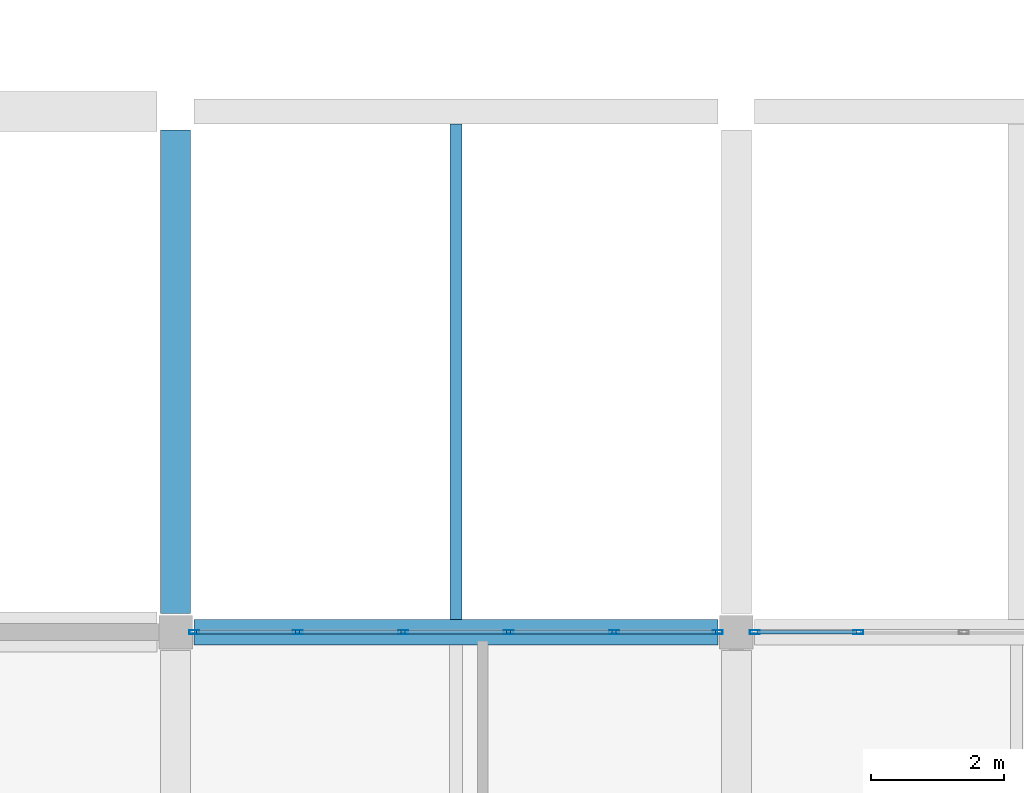
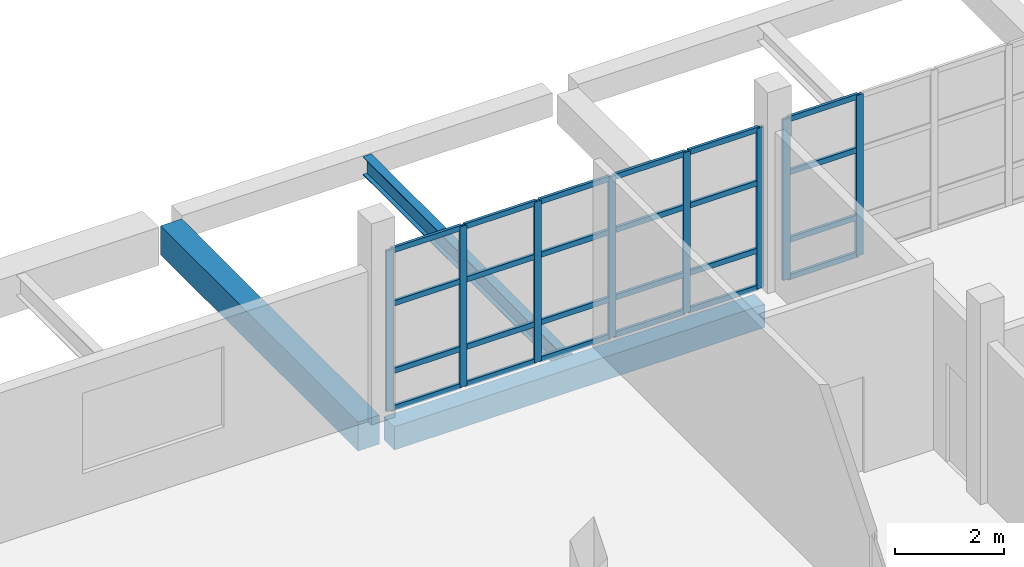
# One storey, part 31 of 53: 32 members, 3 beams, 2 elements without a shape of their own.
"""IFC4 building model written with IfcOpenShell, lengths in metres."""

from ifc_helpers import new_model, si_unit, direction, frame, origin, origin_2d, place, context, subcontext, project, spatial, rectangle, hollow_rectangle, i_section, extrude, material, material_profile, profile_set, type_object, element, aggregate, save


model = new_model("IFC4")

# Units and contexts
model_context = context("Model", 3, precision=1e-05, world=origin(), true_north=direction((0.0, 1.0)))
body_context = subcontext(model_context, "Body", "Model", "MODEL_VIEW")
ifc_project = project(units=[si_unit("LENGTHUNIT", "METRE"), si_unit("AREAUNIT", "SQUARE_METRE"), si_unit("VOLUMEUNIT", "CUBIC_METRE"), si_unit("PLANEANGLEUNIT", "RADIAN"), si_unit("MASSUNIT", "GRAM", prefix="KILO")], contexts=[model_context])

# Site, building, storey
site_placement = place(None, origin())
site = spatial("IfcSite", under=ifc_project, at=site_placement, CompositionType="ELEMENT")
building_placement = place(site_placement, origin())
building = spatial("IfcBuilding", under=site, at=building_placement, Name="Pellamere Symphony Hall", CompositionType="ELEMENT")
storey_placement = place(building_placement, frame((0.0, 0.0, 24.0)))
storey = spatial("IfcBuildingStorey", under=building, at=storey_placement, Name="L05", CompositionType="ELEMENT", Elevation=24.0)

# Curtain wall, members
ifc_material_1 = material(Name="Thermally Broken Anodised Aluminium 6063-T6 Curtain Wall", Category="aluminium")
curtain_wall_type = type_object("IfcCurtainWallType", Name="Curtain Wall CW-05 (Artists Wing North Studio Ribbon Curtain Wall)", PredefinedType="NOTDEFINED", material=ifc_material_1)
curtain_wall_1_placement = place(storey_placement, origin())
curtain_wall_1 = element("IfcCurtainWall", 1, at=curtain_wall_1_placement, inside=storey, type_object=curtain_wall_type, Name="Artists Wing North Studio Curtain Wall (L05 Bay 1)", PredefinedType="NOTDEFINED")
ifc_material_2 = material(Name="Anodised Architectural Aluminium 6063-T6", Category="aluminium")
ifc_material_profile_1 = material_profile(ifc_material_2, hollow_rectangle(XDim=0.06005859375, YDim=0.14990234375, WallThickness=0.00390625, at=origin_2d()), Name="ALU-M60X150X4")
ifc_profile_set_1 = profile_set([ifc_material_profile_1], Name="Anodised Architectural Aluminium 6063-T6")
member_type_1 = type_object("IfcMemberType", Name="Curtain Wall Mullion ML-03 ALU-M60X150X4", PredefinedType="MULLION", material=ifc_profile_set_1)
member_1_placement = place(storey_placement, frame((147.8798828125, 77.39990234375, 0.0), z_axis=(0.0, 0.0, 1.0), x_axis=(0.0, 1.0, 0.0)))
member_1 = element("IfcMember", 2, at=member_1_placement, type_object=member_type_1, Name="CW5-148 crystal mullion 1", PredefinedType="MULLION", context=body_context, shape_type="SweptSolid", body=[
    extrude(hollow_rectangle(XDim=0.06005859375, YDim=0.14990234375, WallThickness=0.00390625, at=origin_2d()), origin(), (0.0, 0.0, 1.0), 3.60009765625),
])
member_2_placement = place(storey_placement, frame((149.429931640625, 77.39990234375, 0.0), z_axis=(0.0, 0.0, 1.0), x_axis=(0.0, 1.0, 0.0)))
member_2 = element("IfcMember", 3, at=member_2_placement, type_object=member_type_1, Name="CW5-148 crystal mullion 2", PredefinedType="MULLION", context=body_context, shape_type="SweptSolid", body=[
    extrude(hollow_rectangle(XDim=0.06005859375, YDim=0.14990234375, WallThickness=0.00390625, at=origin_2d()), origin(), (0.0, 0.0, 1.0), 3.60009765625),
])
member_3_placement = place(storey_placement, frame((151.010009765625, 77.39990234375, 0.0), z_axis=(0.0, 0.0, 1.0), x_axis=(0.0, 1.0, 0.0)))
member_3 = element("IfcMember", 4, at=member_3_placement, type_object=member_type_1, Name="CW5-148 crystal mullion 3", PredefinedType="MULLION", context=body_context, shape_type="SweptSolid", body=[
    extrude(hollow_rectangle(XDim=0.06005859375, YDim=0.14990234375, WallThickness=0.00390625, at=origin_2d()), origin(), (0.0, 0.0, 1.0), 3.60009765625),
])
member_4_placement = place(storey_placement, frame((152.590087890625, 77.39990234375, 0.0), z_axis=(0.0, 0.0, 1.0), x_axis=(0.0, 1.0, 0.0)))
member_4 = element("IfcMember", 5, at=member_4_placement, type_object=member_type_1, Name="CW5-148 crystal mullion 4", PredefinedType="MULLION", context=body_context, shape_type="SweptSolid", body=[
    extrude(hollow_rectangle(XDim=0.06005859375, YDim=0.14990234375, WallThickness=0.00390625, at=origin_2d()), origin(), (0.0, 0.0, 1.0), 3.60009765625),
])
member_5_placement = place(storey_placement, frame((154.169921875, 77.39990234375, 0.0), z_axis=(0.0, 0.0, 1.0), x_axis=(0.0, 1.0, 0.0)))
member_5 = element("IfcMember", 6, at=member_5_placement, type_object=member_type_1, Name="CW5-148 crystal mullion 5", PredefinedType="MULLION", context=body_context, shape_type="SweptSolid", body=[
    extrude(hollow_rectangle(XDim=0.06005859375, YDim=0.14990234375, WallThickness=0.00390625, at=origin_2d()), origin(), (0.0, 0.0, 1.0), 3.60009765625),
])
member_6_placement = place(storey_placement, frame((155.719970703125, 77.39990234375, 0.0), z_axis=(0.0, 0.0, 1.0), x_axis=(0.0, 1.0, 0.0)))
member_6 = element("IfcMember", 7, at=member_6_placement, type_object=member_type_1, Name="CW5-148 crystal mullion 6", PredefinedType="MULLION", context=body_context, shape_type="SweptSolid", body=[
    extrude(hollow_rectangle(XDim=0.06005859375, YDim=0.14990234375, WallThickness=0.00390625, at=origin_2d()), origin(), (0.0, 0.0, 1.0), 3.60009765625),
])

curtain_wall_2_placement = place(storey_placement, origin())
curtain_wall_2 = element("IfcCurtainWall", 8, at=curtain_wall_2_placement, inside=storey, type_object=curtain_wall_type, Name="Artists Wing North Studio Curtain Wall (L05 Bay 2)", PredefinedType="NOTDEFINED")
member_7_placement = place(storey_placement, frame((156.280029296875, 77.39990234375, 0.0), z_axis=(0.0, 0.0, 1.0), x_axis=(0.0, 1.0, 0.0)))
member_7 = element("IfcMember", 9, at=member_7_placement, type_object=member_type_1, Name="CW5-149 crystal mullion 1", PredefinedType="MULLION", context=body_context, shape_type="SweptSolid", body=[
    extrude(hollow_rectangle(XDim=0.06005859375, YDim=0.14990234375, WallThickness=0.00390625, at=origin_2d()), origin(), (0.0, 0.0, 1.0), 3.60009765625),
])
member_8_placement = place(storey_placement, frame((157.830078125, 77.39990234375, 0.0), z_axis=(0.0, 0.0, 1.0), x_axis=(0.0, 1.0, 0.0)))
member_8 = element("IfcMember", 10, at=member_8_placement, type_object=member_type_1, Name="CW5-149 crystal mullion 2", PredefinedType="MULLION", context=body_context, shape_type="SweptSolid", body=[
    extrude(hollow_rectangle(XDim=0.06005859375, YDim=0.14990234375, WallThickness=0.00390625, at=origin_2d()), origin(), (0.0, 0.0, 1.0), 3.60009765625),
])

# Member
ifc_material_profile_2 = material_profile(ifc_material_2, hollow_rectangle(XDim=0.06005859375, YDim=0.1201171875, WallThickness=0.00390625, at=origin_2d()), Name="ALU-T60X120X4")
ifc_profile_set_2 = profile_set([ifc_material_profile_2], Name="Anodised Architectural Aluminium 6063-T6")
member_type_2 = type_object("IfcMemberType", Name="Curtain Wall Transom TR-03 ALU-T60X120X4", PredefinedType="USERDEFINED", material=ifc_profile_set_2)
member_9_placement = place(storey_placement, frame((147.909912109375, 77.39990234375, 0.030029296875), z_axis=(1.0, 0.0, 0.0), x_axis=(0.0, 1.0, 0.0)))
member_9 = element("IfcMember", 11, at=member_9_placement, type_object=member_type_2, Name="CW5-148 crystal transom 1.1", ObjectType="TRANSOM", PredefinedType="USERDEFINED", context=body_context, shape_type="SweptSolid", body=[
    extrude(hollow_rectangle(XDim=0.06005859375, YDim=0.1201171875, WallThickness=0.00390625, at=origin_2d()), origin(), (0.0, 0.0, 1.0), 1.489990234375),
])

member_10_placement = place(storey_placement, frame((147.909912109375, 77.39990234375, 0.864013671875), z_axis=(1.0, 0.0, 0.0), x_axis=(0.0, 1.0, 0.0)))
member_10 = element("IfcMember", 12, at=member_10_placement, type_object=member_type_2, Name="CW5-148 crystal transom 1.2", ObjectType="TRANSOM", PredefinedType="USERDEFINED", context=body_context, shape_type="SweptSolid", body=[
    extrude(hollow_rectangle(XDim=0.06005859375, YDim=0.1201171875, WallThickness=0.00390625, at=origin_2d()), origin(), (0.0, 0.0, 1.0), 1.489990234375),
])

member_11_placement = place(storey_placement, frame((147.909912109375, 77.39990234375, 2.3759765625), z_axis=(1.0, 0.0, 0.0), x_axis=(0.0, 1.0, 0.0)))
member_11 = element("IfcMember", 13, at=member_11_placement, type_object=member_type_2, Name="CW5-148 crystal transom 1.3", ObjectType="TRANSOM", PredefinedType="USERDEFINED", context=body_context, shape_type="SweptSolid", body=[
    extrude(hollow_rectangle(XDim=0.06005859375, YDim=0.1201171875, WallThickness=0.00390625, at=origin_2d()), origin(), (0.0, 0.0, 1.0), 1.489990234375),
])

member_12_placement = place(storey_placement, frame((147.909912109375, 77.39990234375, 3.570068359375), z_axis=(1.0, 0.0, 0.0), x_axis=(0.0, 1.0, 0.0)))
member_12 = element("IfcMember", 14, at=member_12_placement, type_object=member_type_2, Name="CW5-148 crystal transom 1.4", ObjectType="TRANSOM", PredefinedType="USERDEFINED", context=body_context, shape_type="SweptSolid", body=[
    extrude(hollow_rectangle(XDim=0.06005859375, YDim=0.1201171875, WallThickness=0.00390625, at=origin_2d()), origin(), (0.0, 0.0, 1.0), 1.489990234375),
])

member_13_placement = place(storey_placement, frame((149.4599609375, 77.39990234375, 0.030029296875), z_axis=(1.0, 0.0, 0.0), x_axis=(0.0, 1.0, 0.0)))
member_13 = element("IfcMember", 15, at=member_13_placement, type_object=member_type_2, Name="CW5-148 crystal transom 2.1", ObjectType="TRANSOM", PredefinedType="USERDEFINED", context=body_context, shape_type="SweptSolid", body=[
    extrude(hollow_rectangle(XDim=0.06005859375, YDim=0.1201171875, WallThickness=0.00390625, at=origin_2d()), origin(), (0.0, 0.0, 1.0), 1.52001953125),
])

member_14_placement = place(storey_placement, frame((149.4599609375, 77.39990234375, 0.864013671875), z_axis=(1.0, 0.0, 0.0), x_axis=(0.0, 1.0, 0.0)))
member_14 = element("IfcMember", 16, at=member_14_placement, type_object=member_type_2, Name="CW5-148 crystal transom 2.2", ObjectType="TRANSOM", PredefinedType="USERDEFINED", context=body_context, shape_type="SweptSolid", body=[
    extrude(hollow_rectangle(XDim=0.06005859375, YDim=0.1201171875, WallThickness=0.00390625, at=origin_2d()), origin(), (0.0, 0.0, 1.0), 1.52001953125),
])

member_15_placement = place(storey_placement, frame((149.4599609375, 77.39990234375, 2.3759765625), z_axis=(1.0, 0.0, 0.0), x_axis=(0.0, 1.0, 0.0)))
member_15 = element("IfcMember", 17, at=member_15_placement, type_object=member_type_2, Name="CW5-148 crystal transom 2.3", ObjectType="TRANSOM", PredefinedType="USERDEFINED", context=body_context, shape_type="SweptSolid", body=[
    extrude(hollow_rectangle(XDim=0.06005859375, YDim=0.1201171875, WallThickness=0.00390625, at=origin_2d()), origin(), (0.0, 0.0, 1.0), 1.52001953125),
])

member_16_placement = place(storey_placement, frame((149.4599609375, 77.39990234375, 3.570068359375), z_axis=(1.0, 0.0, 0.0), x_axis=(0.0, 1.0, 0.0)))
member_16 = element("IfcMember", 18, at=member_16_placement, type_object=member_type_2, Name="CW5-148 crystal transom 2.4", ObjectType="TRANSOM", PredefinedType="USERDEFINED", context=body_context, shape_type="SweptSolid", body=[
    extrude(hollow_rectangle(XDim=0.06005859375, YDim=0.1201171875, WallThickness=0.00390625, at=origin_2d()), origin(), (0.0, 0.0, 1.0), 1.52001953125),
])

member_17_placement = place(storey_placement, frame((151.0400390625, 77.39990234375, 0.030029296875), z_axis=(1.0, 0.0, 0.0), x_axis=(0.0, 1.0, 0.0)))
member_17 = element("IfcMember", 19, at=member_17_placement, type_object=member_type_2, Name="CW5-148 crystal transom 3.1", ObjectType="TRANSOM", PredefinedType="USERDEFINED", context=body_context, shape_type="SweptSolid", body=[
    extrude(hollow_rectangle(XDim=0.06005859375, YDim=0.1201171875, WallThickness=0.00390625, at=origin_2d()), origin(), (0.0, 0.0, 1.0), 1.52001953125),
])

member_18_placement = place(storey_placement, frame((151.0400390625, 77.39990234375, 0.864013671875), z_axis=(1.0, 0.0, 0.0), x_axis=(0.0, 1.0, 0.0)))
member_18 = element("IfcMember", 20, at=member_18_placement, type_object=member_type_2, Name="CW5-148 crystal transom 3.2", ObjectType="TRANSOM", PredefinedType="USERDEFINED", context=body_context, shape_type="SweptSolid", body=[
    extrude(hollow_rectangle(XDim=0.06005859375, YDim=0.1201171875, WallThickness=0.00390625, at=origin_2d()), origin(), (0.0, 0.0, 1.0), 1.52001953125),
])

member_19_placement = place(storey_placement, frame((151.0400390625, 77.39990234375, 2.3759765625), z_axis=(1.0, 0.0, 0.0), x_axis=(0.0, 1.0, 0.0)))
member_19 = element("IfcMember", 21, at=member_19_placement, type_object=member_type_2, Name="CW5-148 crystal transom 3.3", ObjectType="TRANSOM", PredefinedType="USERDEFINED", context=body_context, shape_type="SweptSolid", body=[
    extrude(hollow_rectangle(XDim=0.06005859375, YDim=0.1201171875, WallThickness=0.00390625, at=origin_2d()), origin(), (0.0, 0.0, 1.0), 1.52001953125),
])

member_20_placement = place(storey_placement, frame((151.0400390625, 77.39990234375, 3.570068359375), z_axis=(1.0, 0.0, 0.0), x_axis=(0.0, 1.0, 0.0)))
member_20 = element("IfcMember", 22, at=member_20_placement, type_object=member_type_2, Name="CW5-148 crystal transom 3.4", ObjectType="TRANSOM", PredefinedType="USERDEFINED", context=body_context, shape_type="SweptSolid", body=[
    extrude(hollow_rectangle(XDim=0.06005859375, YDim=0.1201171875, WallThickness=0.00390625, at=origin_2d()), origin(), (0.0, 0.0, 1.0), 1.52001953125),
])

member_21_placement = place(storey_placement, frame((152.6201171875, 77.39990234375, 0.030029296875), z_axis=(1.0, 0.0, 0.0), x_axis=(0.0, 1.0, 0.0)))
member_21 = element("IfcMember", 23, at=member_21_placement, type_object=member_type_2, Name="CW5-148 crystal transom 4.1", ObjectType="TRANSOM", PredefinedType="USERDEFINED", context=body_context, shape_type="SweptSolid", body=[
    extrude(hollow_rectangle(XDim=0.06005859375, YDim=0.1201171875, WallThickness=0.00390625, at=origin_2d()), origin(), (0.0, 0.0, 1.0), 1.519775390625),
])

member_22_placement = place(storey_placement, frame((152.6201171875, 77.39990234375, 0.864013671875), z_axis=(1.0, 0.0, 0.0), x_axis=(0.0, 1.0, 0.0)))
member_22 = element("IfcMember", 24, at=member_22_placement, type_object=member_type_2, Name="CW5-148 crystal transom 4.2", ObjectType="TRANSOM", PredefinedType="USERDEFINED", context=body_context, shape_type="SweptSolid", body=[
    extrude(hollow_rectangle(XDim=0.06005859375, YDim=0.1201171875, WallThickness=0.00390625, at=origin_2d()), origin(), (0.0, 0.0, 1.0), 1.519775390625),
])

member_23_placement = place(storey_placement, frame((152.6201171875, 77.39990234375, 2.3759765625), z_axis=(1.0, 0.0, 0.0), x_axis=(0.0, 1.0, 0.0)))
member_23 = element("IfcMember", 25, at=member_23_placement, type_object=member_type_2, Name="CW5-148 crystal transom 4.3", ObjectType="TRANSOM", PredefinedType="USERDEFINED", context=body_context, shape_type="SweptSolid", body=[
    extrude(hollow_rectangle(XDim=0.06005859375, YDim=0.1201171875, WallThickness=0.00390625, at=origin_2d()), origin(), (0.0, 0.0, 1.0), 1.519775390625),
])

member_24_placement = place(storey_placement, frame((152.6201171875, 77.39990234375, 3.570068359375), z_axis=(1.0, 0.0, 0.0), x_axis=(0.0, 1.0, 0.0)))
member_24 = element("IfcMember", 26, at=member_24_placement, type_object=member_type_2, Name="CW5-148 crystal transom 4.4", ObjectType="TRANSOM", PredefinedType="USERDEFINED", context=body_context, shape_type="SweptSolid", body=[
    extrude(hollow_rectangle(XDim=0.06005859375, YDim=0.1201171875, WallThickness=0.00390625, at=origin_2d()), origin(), (0.0, 0.0, 1.0), 1.519775390625),
])

member_25_placement = place(storey_placement, frame((154.199951171875, 77.39990234375, 0.030029296875), z_axis=(1.0, 0.0, 0.0), x_axis=(0.0, 1.0, 0.0)))
member_25 = element("IfcMember", 27, at=member_25_placement, type_object=member_type_2, Name="CW5-148 crystal transom 5.1", ObjectType="TRANSOM", PredefinedType="USERDEFINED", context=body_context, shape_type="SweptSolid", body=[
    extrude(hollow_rectangle(XDim=0.06005859375, YDim=0.1201171875, WallThickness=0.00390625, at=origin_2d()), origin(), (0.0, 0.0, 1.0), 1.489990234375),
])

member_26_placement = place(storey_placement, frame((154.199951171875, 77.39990234375, 0.864013671875), z_axis=(1.0, 0.0, 0.0), x_axis=(0.0, 1.0, 0.0)))
member_26 = element("IfcMember", 28, at=member_26_placement, type_object=member_type_2, Name="CW5-148 crystal transom 5.2", ObjectType="TRANSOM", PredefinedType="USERDEFINED", context=body_context, shape_type="SweptSolid", body=[
    extrude(hollow_rectangle(XDim=0.06005859375, YDim=0.1201171875, WallThickness=0.00390625, at=origin_2d()), origin(), (0.0, 0.0, 1.0), 1.489990234375),
])

member_27_placement = place(storey_placement, frame((154.199951171875, 77.39990234375, 2.3759765625), z_axis=(1.0, 0.0, 0.0), x_axis=(0.0, 1.0, 0.0)))
member_27 = element("IfcMember", 29, at=member_27_placement, type_object=member_type_2, Name="CW5-148 crystal transom 5.3", ObjectType="TRANSOM", PredefinedType="USERDEFINED", context=body_context, shape_type="SweptSolid", body=[
    extrude(hollow_rectangle(XDim=0.06005859375, YDim=0.1201171875, WallThickness=0.00390625, at=origin_2d()), origin(), (0.0, 0.0, 1.0), 1.489990234375),
])

member_28_placement = place(storey_placement, frame((154.199951171875, 77.39990234375, 3.570068359375), z_axis=(1.0, 0.0, 0.0), x_axis=(0.0, 1.0, 0.0)))
member_28 = element("IfcMember", 30, at=member_28_placement, type_object=member_type_2, Name="CW5-148 crystal transom 5.4", ObjectType="TRANSOM", PredefinedType="USERDEFINED", context=body_context, shape_type="SweptSolid", body=[
    extrude(hollow_rectangle(XDim=0.06005859375, YDim=0.1201171875, WallThickness=0.00390625, at=origin_2d()), origin(), (0.0, 0.0, 1.0), 1.489990234375),
])

aggregate(curtain_wall_1, [member_1, member_2, member_3, member_4, member_5, member_6, member_9, member_10, member_11, member_12, member_13, member_14, member_15, member_16, member_17, member_18, member_19, member_20, member_21, member_22, member_23, member_24, member_25, member_26, member_27, member_28])

member_29_placement = place(storey_placement, frame((156.31005859375, 77.39990234375, 0.030029296875), z_axis=(1.0, 0.0, 0.0), x_axis=(0.0, 1.0, 0.0)))
member_29 = element("IfcMember", 31, at=member_29_placement, type_object=member_type_2, Name="CW5-149 crystal transom 1.1", ObjectType="TRANSOM", PredefinedType="USERDEFINED", context=body_context, shape_type="SweptSolid", body=[
    extrude(hollow_rectangle(XDim=0.06005859375, YDim=0.1201171875, WallThickness=0.00390625, at=origin_2d()), origin(), (0.0, 0.0, 1.0), 1.489990234375),
])

member_30_placement = place(storey_placement, frame((156.31005859375, 77.39990234375, 0.864013671875), z_axis=(1.0, 0.0, 0.0), x_axis=(0.0, 1.0, 0.0)))
member_30 = element("IfcMember", 32, at=member_30_placement, type_object=member_type_2, Name="CW5-149 crystal transom 1.2", ObjectType="TRANSOM", PredefinedType="USERDEFINED", context=body_context, shape_type="SweptSolid", body=[
    extrude(hollow_rectangle(XDim=0.06005859375, YDim=0.1201171875, WallThickness=0.00390625, at=origin_2d()), origin(), (0.0, 0.0, 1.0), 1.489990234375),
])

member_31_placement = place(storey_placement, frame((156.31005859375, 77.39990234375, 2.3759765625), z_axis=(1.0, 0.0, 0.0), x_axis=(0.0, 1.0, 0.0)))
member_31 = element("IfcMember", 33, at=member_31_placement, type_object=member_type_2, Name="CW5-149 crystal transom 1.3", ObjectType="TRANSOM", PredefinedType="USERDEFINED", context=body_context, shape_type="SweptSolid", body=[
    extrude(hollow_rectangle(XDim=0.06005859375, YDim=0.1201171875, WallThickness=0.00390625, at=origin_2d()), origin(), (0.0, 0.0, 1.0), 1.489990234375),
])

member_32_placement = place(storey_placement, frame((156.31005859375, 77.39990234375, 3.570068359375), z_axis=(1.0, 0.0, 0.0), x_axis=(0.0, 1.0, 0.0)))
member_32 = element("IfcMember", 34, at=member_32_placement, type_object=member_type_2, Name="CW5-149 crystal transom 1.4", ObjectType="TRANSOM", PredefinedType="USERDEFINED", context=body_context, shape_type="SweptSolid", body=[
    extrude(hollow_rectangle(XDim=0.06005859375, YDim=0.1201171875, WallThickness=0.00390625, at=origin_2d()), origin(), (0.0, 0.0, 1.0), 1.489990234375),
])

aggregate(curtain_wall_2, [member_7, member_8, member_29, member_30, member_31, member_32])

# Beams
ifc_material_3 = material(Name="Concrete 40 MPa", Category="concrete")
ifc_material_profile_3 = material_profile(ifc_material_3, rectangle(XDim=0.449951171875, YDim=0.64990234375, at=origin_2d()), Name="RC 450x650")
ifc_profile_set_3 = profile_set([ifc_material_profile_3], Name="Concrete 40 MPa")
beam_type_1 = type_object("IfcBeamType", Name="RC CB-08 450x650", PredefinedType="BEAM", material=ifc_profile_set_3)
beam_1_placement = place(storey_placement, frame((147.60009765625, 77.675048828125, -0.5849609375), z_axis=(0.0, 1.0, 0.0), x_axis=(-1.0, 0.0, 0.0)))
element("IfcBeam", 35, at=beam_1_placement, inside=storey, type_object=beam_type_1, Name="Girder CB-08-Y2121 (L05)", PredefinedType="BEAM", context=body_context, shape_type="SweptSolid", body=[
    extrude(rectangle(XDim=0.449951171875, YDim=0.64990234375, at=origin_2d()), origin(), (0.0, 0.0, 1.0), 7.25),
])
ifc_material_profile_4 = material_profile(ifc_material_3, rectangle(XDim=0.3798828125, YDim=0.52001953125, at=origin_2d()), Name="RC 380x520")
ifc_profile_set_4 = profile_set([ifc_material_profile_4], Name="Concrete 40 MPa")
beam_type_2 = type_object("IfcBeamType", Name="RC CB-21 380x520", PredefinedType="BEAM", material=ifc_profile_set_4)
beam_2_placement = place(storey_placement, frame((147.875, 77.39990234375, -0.52001953125), z_axis=(1.0, 0.0, 0.0), x_axis=(0.0, 1.0, 0.0)))
element("IfcBeam", 36, at=beam_2_placement, inside=storey, type_object=beam_type_2, Name="Girder CB-21-X2053 (L05)", PredefinedType="BEAM", context=body_context, shape_type="SweptSolid", body=[
    extrude(rectangle(XDim=0.3798828125, YDim=0.52001953125, at=origin_2d()), origin(), (0.0, 0.0, 1.0), 7.85009765625),
])
ifc_material_4 = material(Name="Steel CSA G40.21 350W", Category="steel")
ifc_material_profile_5 = material_profile(ifc_material_4, i_section(OverallWidth=0.179931640625, OverallDepth=0.4130859375, WebThickness=0.009765625, FlangeThickness=0.01513671875, at=origin_2d()), Name="W410X74")
ifc_profile_set_5 = profile_set([ifc_material_profile_5], Name="Steel CSA G40.21 350W")
beam_type_3 = type_object("IfcBeamType", Name="Steel Joist SB-19 W410X74", PredefinedType="JOIST", material=ifc_profile_set_5)
beam_3_placement = place(storey_placement, frame((151.800048828125, 77.590087890625, -0.4814453125), z_axis=(0.0, 1.0, 0.0), x_axis=(-1.0, 0.0, 0.0)))
element("IfcBeam", 37, at=beam_3_placement, inside=storey, type_object=beam_type_3, Name="Secondary Floor Beam SB-19-M1810 (L05)", PredefinedType="JOIST", context=body_context, shape_type="SweptSolid", body=[
    extrude(i_section(OverallWidth=0.179931640625, OverallDepth=0.4130859375, WebThickness=0.009765625, FlangeThickness=0.01513671875, at=origin_2d()), origin(), (0.0, 0.0, 1.0), 7.419921875),
])

save(model, "model.ifc")
